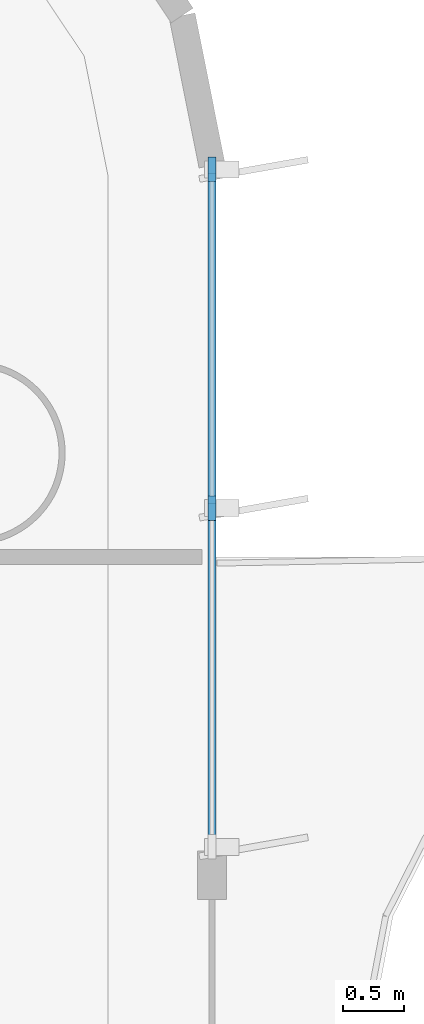
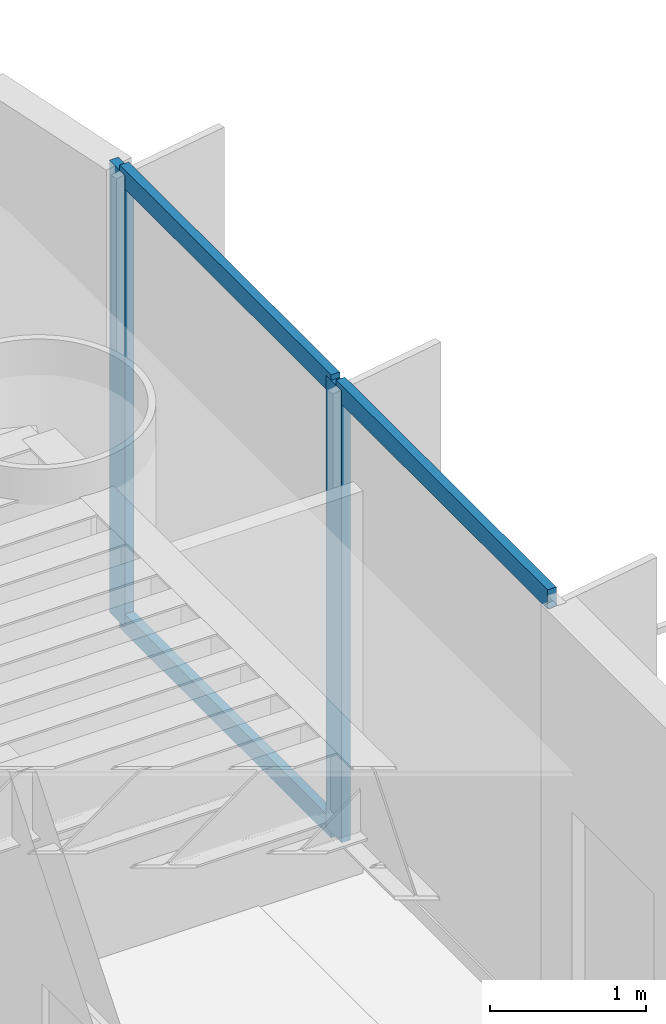
# One storey, part 6 of 18: 5 members, 1 element without a shape of its own.
"""IFC4 building model written with IfcOpenShell, lengths in metres."""

from ifc_helpers import new_model, si_unit, direction, frame, origin, origin_2d, place, context, subcontext, project, spatial, rectangle, extrude, source, transform, mapped, material, layer, layer_set, material_profile, profile_set, type_object, element, aggregate, save


model = new_model("IFC4")

# Units and contexts
model_context = context("Model", 3, precision=1e-05, world=origin(), true_north=direction((0.0, 1.0)))
body_context = subcontext(model_context, "Body", "Model", "MODEL_VIEW")
ifc_project = project(units=[si_unit("LENGTHUNIT", "METRE"), si_unit("AREAUNIT", "SQUARE_METRE"), si_unit("VOLUMEUNIT", "CUBIC_METRE"), si_unit("PLANEANGLEUNIT", "RADIAN"), si_unit("MASSUNIT", "GRAM", prefix="KILO")], contexts=[model_context])

# Site, building, storey
site_placement = place(None, origin())
site = spatial("IfcSite", under=ifc_project, at=site_placement, CompositionType="ELEMENT")
building_placement = place(site_placement, origin())
building = spatial("IfcBuilding", under=site, at=building_placement, Name="Brelvock Crest Care Tower", CompositionType="ELEMENT")
storey_placement = place(building_placement, frame((0.0, 0.0, 42.1201171875)))
storey = spatial("IfcBuildingStorey", under=building, at=storey_placement, Name="L10", CompositionType="ELEMENT", Elevation=42.1201171875)

# Curtain wall, members
ifc_material_1 = material(Name="Dark Glass Double Glazed Low-E", Category="glass")
ifc_layer = layer(ifc_material_1, 0.195068359375, Name="CWS-2")
ifc_layer_set = layer_set([ifc_layer], Name="Dark Glass Double Glazed Low-E")
curtain_wall_type = type_object("IfcCurtainWallType", Name="CWS-2", PredefinedType="NOTDEFINED", material=ifc_layer_set)
curtain_wall_placement = place(storey_placement, origin())
curtain_wall = element("IfcCurtainWall", 1, at=curtain_wall_placement, inside=storey, type_object=curtain_wall_type, Name="L10 Curtain Wall E03A", PredefinedType="NOTDEFINED")
ifc_material_2 = material(Name="Aluminium 6063-T6", Category="aluminium")
ifc_material_profile_1 = material_profile(ifc_material_2, rectangle(XDim=0.06494140625, YDim=0.14990234375, at=origin_2d()), Name="ALU65x150")
ifc_profile_set_1 = profile_set([ifc_material_profile_1], Name="Aluminium 6063-T6")
member_type_1 = type_object("IfcMemberType", Name="CWT-1", PredefinedType="USERDEFINED", material=ifc_profile_set_1)
shared_shape_1 = source(origin(), body_context, "Body", "SweptSolid", [
    extrude(rectangle(XDim=0.06494140625, YDim=0.14990234375, at=origin_2d()), origin(), (0.0, 0.0, 1.0), 2.70263671875),
])
member_1_placement = place(storey_placement, frame((60.0, 32.735107421875, 0.032470703125), z_axis=(0.0, -1.0, 0.0), x_axis=(1.0, 0.0, 0.0)))
member_1 = element("IfcMember", 2, at=member_1_placement, type_object=member_type_1, Name="CW-2 transom 1.1", ObjectType="TRANSOM", PredefinedType="USERDEFINED", context=body_context, shape_type="MappedRepresentation", body=[
    mapped(shared_shape_1, transform((0.0, 0.0, 0.0), x_axis=(1.0, 0.0, 0.0), y_axis=(0.0, 1.0, 0.0), z_axis=(0.0, 0.0, 1.0), scale=1.0)),
])
member_2_placement = place(storey_placement, frame((60.0, 32.735107421875, 3.497314453125), z_axis=(0.0, -1.0, 0.0), x_axis=(1.0, 0.0, 0.0)))
member_2 = element("IfcMember", 3, at=member_2_placement, type_object=member_type_1, Name="CW-2 transom 1.2", ObjectType="TRANSOM", PredefinedType="USERDEFINED", context=body_context, shape_type="MappedRepresentation", body=[
    mapped(shared_shape_1, transform((0.0, 0.0, 0.0), x_axis=(1.0, 0.0, 0.0), y_axis=(0.0, 1.0, 0.0), z_axis=(0.0, 0.0, 1.0), scale=1.0)),
])
member_3_placement = place(storey_placement, frame((60.0, 29.967529296875, 3.497314453125), z_axis=(0.0, -1.0, 0.0), x_axis=(1.0, 0.0, 0.0)))
member_3 = element("IfcMember", 4, at=member_3_placement, type_object=member_type_1, Name="CW-2 transom 2.2", ObjectType="TRANSOM", PredefinedType="USERDEFINED", context=body_context, shape_type="MappedRepresentation", body=[
    mapped(shared_shape_1, transform((0.0, 0.0, 0.0), x_axis=(1.0, 0.0, 0.0), y_axis=(0.0, 1.0, 0.0), z_axis=(0.0, 0.0, 1.0), scale=1.0)),
])
ifc_material_profile_2 = material_profile(ifc_material_2, rectangle(XDim=0.06494140625, YDim=0.199951171875, at=origin_2d()), Name="ALU65x200")
ifc_profile_set_2 = profile_set([ifc_material_profile_2], Name="Aluminium 6063-T6")
member_type_2 = type_object("IfcMemberType", Name="CWM-1", PredefinedType="MULLION", material=ifc_profile_set_2)
shared_shape_2 = source(origin(), body_context, "Body", "SweptSolid", [
    extrude(rectangle(XDim=0.06494140625, YDim=0.199951171875, at=origin_2d()), origin(), (0.0, 0.0, 1.0), 3.52978515625),
])
member_4_placement = place(storey_placement, frame((60.0, 32.767578125, 0.0), z_axis=(0.0, 0.0, 1.0), x_axis=(1.0, 0.0, 0.0)))
member_4 = element("IfcMember", 5, at=member_4_placement, type_object=member_type_2, Name="CW-2 mullion 1", PredefinedType="MULLION", context=body_context, shape_type="MappedRepresentation", body=[
    mapped(shared_shape_2, transform((0.0, 0.0, 0.0), x_axis=(1.0, 0.0, 0.0), y_axis=(0.0, 1.0, 0.0), z_axis=(0.0, 0.0, 1.0), scale=1.0)),
])
member_5_placement = place(storey_placement, frame((60.0, 30.0, 0.0), z_axis=(0.0, 0.0, 1.0), x_axis=(1.0, 0.0, 0.0)))
member_5 = element("IfcMember", 6, at=member_5_placement, type_object=member_type_2, Name="CW-2 mullion 2", PredefinedType="MULLION", context=body_context, shape_type="MappedRepresentation", body=[
    mapped(shared_shape_2, transform((0.0, 0.0, 0.0), x_axis=(1.0, 0.0, 0.0), y_axis=(0.0, 1.0, 0.0), z_axis=(0.0, 0.0, 1.0), scale=1.0)),
])
aggregate(curtain_wall, [member_4, member_5, member_1, member_2, member_3])

save(model, "model.ifc")
